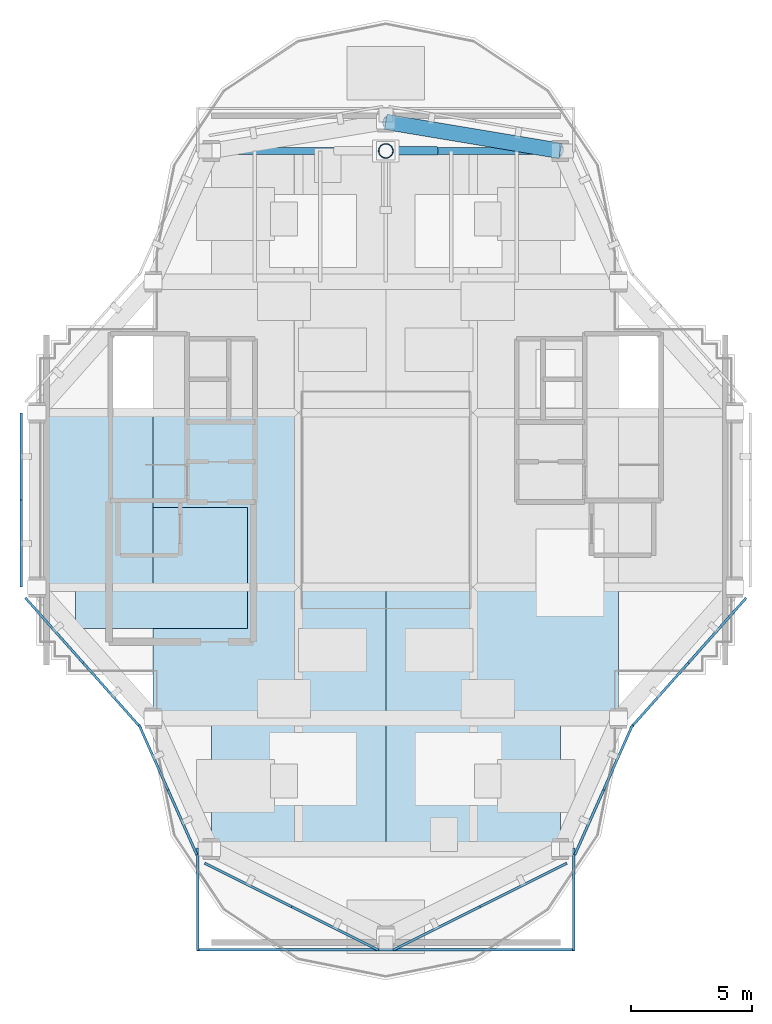
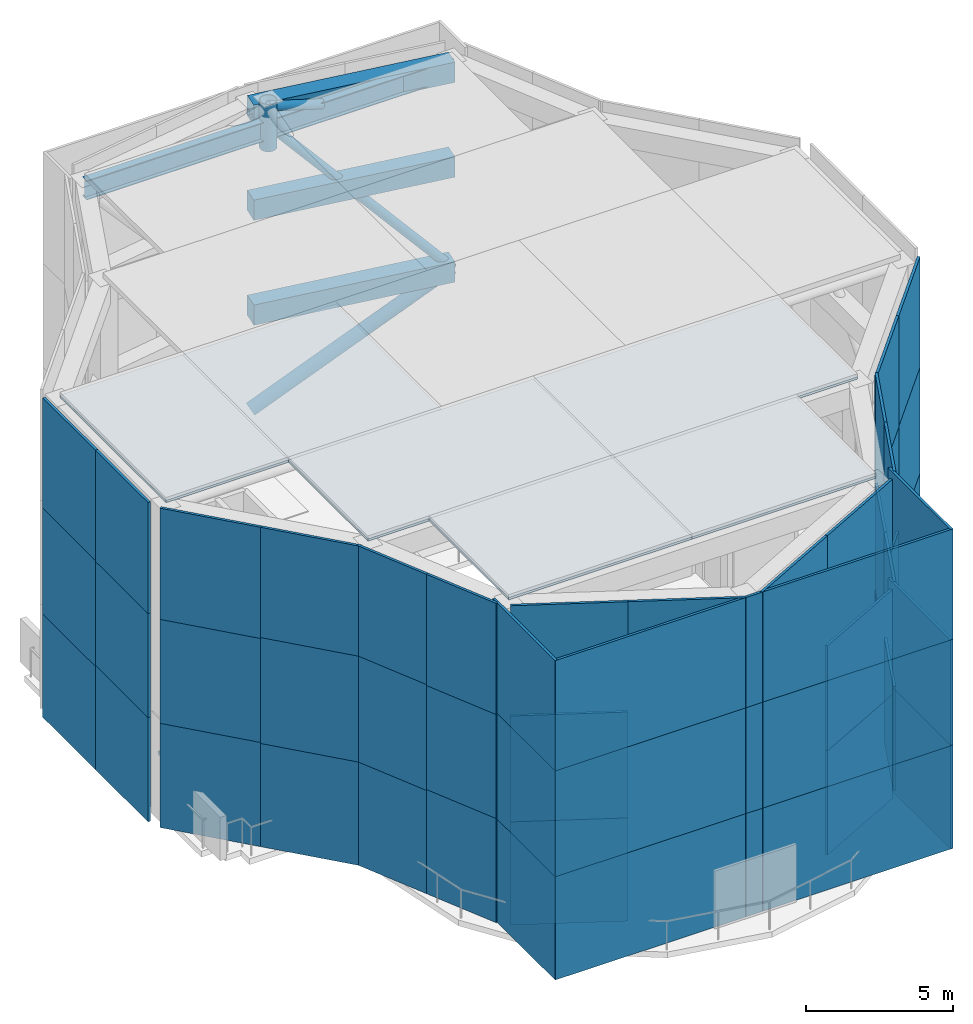
# One storey, part 2 of 8: 57 plates, 4 beams, 4 members, 1 slab.
"""IFC4 building model written with IfcOpenShell, lengths in metres."""

from ifc_helpers import new_model, si_unit, direction, frame, origin, origin_2d, place, context, subcontext, project, spatial, polyline, rectangle, hollow_circle, i_section, outline, extrude, source, transform, mapped, material, layer, layer_set, material_profile, profile_set, type_object, element, save


model = new_model("IFC4")

# Units and contexts
model_context = context("Model", 3, precision=1e-05, world=origin(), true_north=direction((0.0, 1.0)))
body_context = subcontext(model_context, "Body", "Model", "MODEL_VIEW")
ifc_project = project(units=[si_unit("LENGTHUNIT", "METRE"), si_unit("AREAUNIT", "SQUARE_METRE"), si_unit("VOLUMEUNIT", "CUBIC_METRE"), si_unit("PLANEANGLEUNIT", "RADIAN"), si_unit("MASSUNIT", "GRAM", prefix="KILO")], contexts=[model_context])

# Site, building, storey
site_placement = place(None, origin())
site = spatial("IfcSite", under=ifc_project, at=site_placement, CompositionType="ELEMENT")
building_placement = place(site_placement, origin())
building = spatial("IfcBuilding", under=site, at=building_placement, Name="Keilestroom Media Tower", CompositionType="ELEMENT")
storey_placement = place(building_placement, frame((0.0, 0.0, 271.60009765625)))
storey = spatial("IfcBuildingStorey", under=building, at=storey_placement, Name="Roof", CompositionType="ELEMENT", Elevation=271.60009765625)

# Beams
ifc_material_1 = material(Name="Precast concrete C40/50", Category="concrete")
ifc_material_profile_1 = material_profile(ifc_material_1, rectangle(XDim=0.639892578125, YDim=0.840087890625, at=origin_2d()), Name="CF 640x840")
ifc_profile_set_1 = profile_set([ifc_material_profile_1], Name="Precast concrete C40/50")
beam_type_1 = type_object("IfcBeamType", Name="Crown-Open-Frame-Ring-Beam-640x840", PredefinedType="USERDEFINED", material=ifc_profile_set_1)
shared_shape_1 = source(origin(), body_context, "Body", "SweptSolid", [
    extrude(rectangle(XDim=0.639892578125, YDim=0.840087890625, at=origin_2d()), origin(), (0.0, 0.0, 1.0), 7.29931640625),
])
for number, where, z_axis, x_axis, name in (
    (1, (0.0, 15.60009765625, 4.2998046875), (0.986389403576, -0.16442610654, 0.0), (0.16442610654, 0.986389403576, 0.0), "Crown Frame Ring Beam MID 05"),
    (2, (0.0, 15.60009765625, 8.64990234375), (0.986389403576, -0.16442610654, 0.0), (0.16442610654, 0.986389403576, 0.0), "Crown Frame Ring Beam HI 05"),
    (3, (0.0, 15.60009765625, 12.579833984375), (0.986389403576, -0.16442610654, 0.0), (0.16442610654, 0.986389403576, 0.0), "Crown Frame Ring Beam TOP 05"),
):
    element("IfcBeam", number, at=place(storey_placement, frame(where, z_axis=z_axis, x_axis=x_axis)), inside=storey, type_object=beam_type_1, Name=name, ObjectType="CROWN_RING", PredefinedType="USERDEFINED", context=body_context, shape_type="MappedRepresentation", body=[
        mapped(shared_shape_1, transform((0.0, 0.0, 0.0), x_axis=(1.0, 0.0, 0.0), y_axis=(0.0, 1.0, 0.0), z_axis=(0.0, 0.0, 1.0), scale=1.0)),
    ])

# Members
ifc_material_2 = material(Name="Steel S460", Category="steel")
ifc_material_profile_2 = material_profile(ifc_material_2, hollow_circle(Radius=0.25390625, WallThickness=0.02001953125, at=origin_2d()), Name="CHS 508x20")
ifc_profile_set_2 = profile_set([ifc_material_profile_2], Name="Steel S460")
member_type_1 = type_object("IfcMemberType", Name="Crown-Strut-And-Mast-Member-Crown-Frame-CHS-508x20", PredefinedType="STRUT", material=ifc_profile_set_2)
shared_shape_2 = source(origin(), body_context, "Body", "SweptSolid", [
    extrude(hollow_circle(Radius=0.25390625, WallThickness=0.02001953125, at=origin_2d()), origin(), (0.0, 0.0, 1.0), 8.371826171875),
])
member_1_placement = place(storey_placement, frame((0.0, 15.60009765625, 0.199951171875), z_axis=(0.860014886037, -0.143360115959, 0.489716523048), x_axis=(0.16442610654, 0.986389403576, 0.0)))
element("IfcMember", 4, at=member_1_placement, inside=storey, type_object=member_type_1, Name="Crown Frame Wind Brace Lower 05", PredefinedType="STRUT", context=body_context, shape_type="MappedRepresentation", body=[
    mapped(shared_shape_2, transform((0.0, 0.0, 0.0), x_axis=(1.0, 0.0, 0.0), y_axis=(0.0, 1.0, 0.0), z_axis=(0.0, 0.0, 1.0), scale=1.0)),
])
ifc_material_3 = material(Name="Steel S355", Category="steel")
ifc_material_profile_3 = material_profile(ifc_material_3, hollow_circle(Radius=0.177734375, WallThickness=0.01416015625, at=origin_2d()), Name="CHS 355.6x14.2")
ifc_profile_set_3 = profile_set([ifc_material_profile_3], Name="Steel S355")
member_type_2 = type_object("IfcMemberType", Name="Crown-Open-Frame-Strut-CHS-355x14", PredefinedType="STRUT", material=ifc_profile_set_3)
shared_shape_3 = source(origin(), body_context, "Body", "SweptSolid", [
    extrude(hollow_circle(Radius=0.177734375, WallThickness=0.01416015625, at=origin_2d()), origin(), (0.0, 0.0, 1.0), 11.0380859375),
])
member_2_placement = place(storey_placement, frame((7.199951171875, 14.39990234375, 4.2998046875), z_axis=(-0.652284427769, 0.108732503032, 0.750134833263), x_axis=(-0.16442610654, -0.986389403576, 0.0)))
element("IfcMember", 5, at=member_2_placement, inside=storey, type_object=member_type_2, Name="Crown Frame Wind Strut Upper 05", PredefinedType="STRUT", context=body_context, shape_type="MappedRepresentation", body=[
    mapped(shared_shape_3, transform((0.0, 0.0, 0.0), x_axis=(1.0, 0.0, 0.0), y_axis=(0.0, 1.0, 0.0), z_axis=(0.0, 0.0, 1.0), scale=1.0)),
])

# Beam
ifc_material_profile_4 = material_profile(ifc_material_2, i_section(OverallWidth=0.300048828125, OverallDepth=0.800048828125, WebThickness=0.014892578125, FlangeThickness=0.032958984375, at=origin_2d()), Name="HEB 800")
ifc_profile_set_4 = profile_set([ifc_material_profile_4], Name="Steel S460")
beam_type_2 = type_object("IfcBeamType", Name="Primary-Structural-Girder-HEB-800", PredefinedType="BEAM", material=ifc_profile_set_4)
shared_shape_4 = source(origin(), body_context, "Body", "SweptSolid", [
    extrude(i_section(OverallWidth=0.300048828125, OverallDepth=0.800048828125, WebThickness=0.014892578125, FlangeThickness=0.032958984375, at=origin_2d()), origin(), (0.0, 0.0, 1.0), 14.39990234375),
])
beam_placement = place(storey_placement, frame((-7.199951171875, 14.39990234375, 12.599853515625), z_axis=(1.0, 0.0, 0.0), x_axis=(0.0, 1.0, 0.0)))
element("IfcBeam", 6, at=beam_placement, inside=storey, type_object=beam_type_2, Name="Roof Mast Transfer Girder TG-RF1", PredefinedType="BEAM", context=body_context, shape_type="MappedRepresentation", body=[
    mapped(shared_shape_4, transform((0.0, 0.0, 0.0), x_axis=(1.0, 0.0, 0.0), y_axis=(0.0, 1.0, 0.0), z_axis=(0.0, 0.0, 1.0), scale=1.0)),
])

# Members
ifc_material_profile_5 = material_profile(ifc_material_2, hollow_circle(Radius=0.304931640625, WallThickness=0.02490234375, at=origin_2d()), Name="CHS 610x25")
ifc_profile_set_5 = profile_set([ifc_material_profile_5], Name="Steel S460")
member_type_3 = type_object("IfcMemberType", Name="Crown-Strut-And-Mast-Member-Mast-CHS-610x25", PredefinedType="STRUT", material=ifc_profile_set_5)
shared_shape_5 = source(origin(), body_context, "Body", "SweptSolid", [
    extrude(hollow_circle(Radius=0.304931640625, WallThickness=0.02490234375, at=origin_2d()), origin(), (0.0, 0.0, 1.0), 1.960205078125),
])
member_3_placement = place(storey_placement, frame((0.0, 14.39990234375, 11.7998046875), z_axis=(0.0, 0.0, 1.0), x_axis=(1.0, 0.0, 0.0)))
element("IfcMember", 7, at=member_3_placement, inside=storey, type_object=member_type_3, Name="Broadcast Pinnacle Mast MP-1", PredefinedType="STRUT", context=body_context, shape_type="MappedRepresentation", body=[
    mapped(shared_shape_5, transform((0.0, 0.0, 0.0), x_axis=(1.0, 0.0, 0.0), y_axis=(0.0, 1.0, 0.0), z_axis=(0.0, 0.0, 1.0), scale=1.0)),
])
shared_shape_6 = source(origin(), body_context, "Body", "SweptSolid", [
    extrude(hollow_circle(Radius=0.177734375, WallThickness=0.01416015625, at=origin_2d()), origin(), (0.0, 0.0, 1.0), 2.198486328125),
])
member_4_placement = place(storey_placement, frame((2.10009765625, 14.39990234375, 12.849853515625), z_axis=(-0.955270952292, 0.0, 0.295731986277), x_axis=(0.0, -1.0, 0.0)))
element("IfcMember", 8, at=member_4_placement, inside=storey, type_object=member_type_2, Name="Broadcast Mast Guy Strut 2", PredefinedType="STRUT", context=body_context, shape_type="MappedRepresentation", body=[
    mapped(shared_shape_6, transform((0.0, 0.0, 0.0), x_axis=(1.0, 0.0, 0.0), y_axis=(0.0, 1.0, 0.0), z_axis=(0.0, 0.0, 1.0), scale=1.0)),
])

# Slab
ifc_material_4 = material(Name="Concrete C50/60", Category="concrete")
ifc_layer_1 = layer(ifc_material_4, 0.18994140625)
ifc_layer_set_1 = layer_set([ifc_layer_1], Name="Concrete C50/60")
slab_type = type_object("IfcSlabType", Name="Composite-Floor-Slab-190", PredefinedType="FLOOR", material=ifc_layer_set_1)
slab_placement = place(storey_placement, origin())
element("IfcSlab", 9, at=slab_placement, inside=storey, type_object=slab_type, Name="Roof Control Room Equipment Floor Slab", PredefinedType="FLOOR", context=body_context, shape_type="SweptSolid", body=[
    extrude(outline(polyline([(-12.800048828125, -5.300048828125), (-5.699951171875, -5.300048828125), (-5.699951171875, -0.300048828125), (-12.800048828125, -0.300048828125), (-12.800048828125, -5.300048828125)])), origin(), (0.0, 0.0, 1.0), 0.14990234375),
])

# Plates
ifc_material_5 = material(Name="Bronze Anodised Aluminium", Category="aluminium")
ifc_layer_2 = layer(ifc_material_5, 0.10009765625)
ifc_layer_set_2 = layer_set([ifc_layer_2], Name="Bronze Anodised Aluminium")
plate_type = type_object("IfcPlateType", Name="Crown-Louvre-Screen-Panel-100", PredefinedType="USERDEFINED", material=ifc_layer_set_2)
shared_shape_7 = source(origin(), body_context, "Body", "SweptSolid", [
    extrude(rectangle(XDim=3.580078125, YDim=0.10009765625, at=origin_2d()), origin(), (0.0, 0.0, 1.0), 4.320068359375),
])
for number, where, z_axis, x_axis, name in (
    (10, (-15.0400390625, -1.7900390625, 0.0), (0.0, 0.0, 1.0), (0.0, 1.0, 0.0), "Crown Louvre Screen Panel 01.1.1"),
    (11, (-15.0400390625, 1.7900390625, 0.0), (0.0, 0.0, 1.0), (0.0, 1.0, 0.0), "Crown Louvre Screen Panel 01.2.1"),
):
    element("IfcPlate", number, at=place(storey_placement, frame(where, z_axis=z_axis, x_axis=x_axis)), inside=storey, type_object=plate_type, Name=name, ObjectType="SCREEN", PredefinedType="USERDEFINED", context=body_context, shape_type="MappedRepresentation", body=[
        mapped(shared_shape_7, transform((0.0, 0.0, 0.0), x_axis=(1.0, 0.0, 0.0), y_axis=(0.0, 1.0, 0.0), z_axis=(0.0, 0.0, 1.0), scale=1.0)),
    ])
shared_shape_8 = source(origin(), body_context, "Body", "SweptSolid", [
    extrude(rectangle(XDim=3.580078125, YDim=0.10009765625, at=origin_2d()), origin(), (0.0, 0.0, 1.0), 4.389892578125),
])
for number, where, z_axis, x_axis, name in (
    (12, (-15.0400390625, -1.7900390625, 4.27978515625), (0.0, 0.0, 1.0), (0.0, 1.0, 0.0), "Crown Louvre Screen Panel 01.1.2"),
    (13, (-15.0400390625, 1.7900390625, 4.27978515625), (0.0, 0.0, 1.0), (0.0, 1.0, 0.0), "Crown Louvre Screen Panel 01.2.2"),
):
    element("IfcPlate", number, at=place(storey_placement, frame(where, z_axis=z_axis, x_axis=x_axis)), inside=storey, type_object=plate_type, Name=name, ObjectType="SCREEN", PredefinedType="USERDEFINED", context=body_context, shape_type="MappedRepresentation", body=[
        mapped(shared_shape_8, transform((0.0, 0.0, 0.0), x_axis=(1.0, 0.0, 0.0), y_axis=(0.0, 1.0, 0.0), z_axis=(0.0, 0.0, 1.0), scale=1.0)),
    ])
shared_shape_9 = source(origin(), body_context, "Body", "SweptSolid", [
    extrude(rectangle(XDim=3.580078125, YDim=0.10009765625, at=origin_2d()), origin(), (0.0, 0.0, 1.0), 4.610107421875),
])
for number, where, z_axis, x_axis, name in (
    (14, (-15.0400390625, -1.7900390625, 8.6298828125), (0.0, 0.0, 1.0), (0.0, 1.0, 0.0), "Crown Louvre Screen Panel 01.1.3"),
    (15, (-15.0400390625, 1.7900390625, 8.6298828125), (0.0, 0.0, 1.0), (0.0, 1.0, 0.0), "Crown Louvre Screen Panel 01.2.3"),
):
    element("IfcPlate", number, at=place(storey_placement, frame(where, z_axis=z_axis, x_axis=x_axis)), inside=storey, type_object=plate_type, Name=name, ObjectType="SCREEN", PredefinedType="USERDEFINED", context=body_context, shape_type="MappedRepresentation", body=[
        mapped(shared_shape_9, transform((0.0, 0.0, 0.0), x_axis=(1.0, 0.0, 0.0), y_axis=(0.0, 1.0, 0.0), z_axis=(0.0, 0.0, 1.0), scale=1.0)),
    ])
shared_shape_10 = source(origin(), body_context, "Body", "SweptSolid", [
    extrude(rectangle(XDim=3.592041015625, YDim=0.10009765625, at=origin_2d()), origin(), (0.0, 0.0, 1.0), 4.320068359375),
])
for number, where, z_axis, x_axis, name in (
    (16, (13.671630859375, -5.3828125, 0.0), (0.0, 0.0, 1.0), (-0.664363325694, -0.747409774804, 0.0), "Crown Louvre Screen Panel 09.1.1"),
    (17, (11.284912109375, -8.067626953125, 0.0), (0.0, 0.0, 1.0), (-0.664363325694, -0.747409774804, 0.0), "Crown Louvre Screen Panel 09.2.1"),
    (18, (-11.284912109375, -8.067626953125, 0.0), (0.0, 0.0, 1.0), (-0.664363325694, 0.747409774804, 0.0), "Crown Louvre Screen Panel 14.1.1"),
    (19, (-13.671630859375, -5.3828125, 0.0), (0.0, 0.0, 1.0), (-0.664363325694, 0.747409774804, 0.0), "Crown Louvre Screen Panel 14.2.1"),
):
    element("IfcPlate", number, at=place(storey_placement, frame(where, z_axis=z_axis, x_axis=x_axis)), inside=storey, type_object=plate_type, Name=name, ObjectType="SCREEN", PredefinedType="USERDEFINED", context=body_context, shape_type="MappedRepresentation", body=[
        mapped(shared_shape_10, transform((0.0, 0.0, 0.0), x_axis=(1.0, 0.0, 0.0), y_axis=(0.0, 1.0, 0.0), z_axis=(0.0, 0.0, 1.0), scale=1.0)),
    ])
shared_shape_11 = source(origin(), body_context, "Body", "SweptSolid", [
    extrude(rectangle(XDim=3.592041015625, YDim=0.10009765625, at=origin_2d()), origin(), (0.0, 0.0, 1.0), 4.389892578125),
])
for number, where, z_axis, x_axis, name in (
    (20, (13.671630859375, -5.3828125, 4.27978515625), (0.0, 0.0, 1.0), (-0.664363325694, -0.747409774804, 0.0), "Crown Louvre Screen Panel 09.1.2"),
    (21, (11.284912109375, -8.067626953125, 4.27978515625), (0.0, 0.0, 1.0), (-0.664363325694, -0.747409774804, 0.0), "Crown Louvre Screen Panel 09.2.2"),
    (22, (-11.284912109375, -8.067626953125, 4.27978515625), (0.0, 0.0, 1.0), (-0.664363325694, 0.747409774804, 0.0), "Crown Louvre Screen Panel 14.1.2"),
    (23, (-13.671630859375, -5.3828125, 4.27978515625), (0.0, 0.0, 1.0), (-0.664363325694, 0.747409774804, 0.0), "Crown Louvre Screen Panel 14.2.2"),
):
    element("IfcPlate", number, at=place(storey_placement, frame(where, z_axis=z_axis, x_axis=x_axis)), inside=storey, type_object=plate_type, Name=name, ObjectType="SCREEN", PredefinedType="USERDEFINED", context=body_context, shape_type="MappedRepresentation", body=[
        mapped(shared_shape_11, transform((0.0, 0.0, 0.0), x_axis=(1.0, 0.0, 0.0), y_axis=(0.0, 1.0, 0.0), z_axis=(0.0, 0.0, 1.0), scale=1.0)),
    ])
shared_shape_12 = source(origin(), body_context, "Body", "SweptSolid", [
    extrude(rectangle(XDim=3.592041015625, YDim=0.10009765625, at=origin_2d()), origin(), (0.0, 0.0, 1.0), 4.610107421875),
])
for number, where, z_axis, x_axis, name in (
    (24, (13.671630859375, -5.3828125, 8.6298828125), (0.0, 0.0, 1.0), (-0.664363325694, -0.747409774804, 0.0), "Crown Louvre Screen Panel 09.1.3"),
    (25, (11.284912109375, -8.067626953125, 8.6298828125), (0.0, 0.0, 1.0), (-0.664363325694, -0.747409774804, 0.0), "Crown Louvre Screen Panel 09.2.3"),
    (26, (-11.284912109375, -8.067626953125, 8.6298828125), (0.0, 0.0, 1.0), (-0.664363325694, 0.747409774804, 0.0), "Crown Louvre Screen Panel 14.1.3"),
    (27, (-13.671630859375, -5.3828125, 8.6298828125), (0.0, 0.0, 1.0), (-0.664363325694, 0.747409774804, 0.0), "Crown Louvre Screen Panel 14.2.3"),
):
    element("IfcPlate", number, at=place(storey_placement, frame(where, z_axis=z_axis, x_axis=x_axis)), inside=storey, type_object=plate_type, Name=name, ObjectType="SCREEN", PredefinedType="USERDEFINED", context=body_context, shape_type="MappedRepresentation", body=[
        mapped(shared_shape_12, transform((0.0, 0.0, 0.0), x_axis=(1.0, 0.0, 0.0), y_axis=(0.0, 1.0, 0.0), z_axis=(0.0, 0.0, 1.0), scale=1.0)),
    ])
shared_shape_13 = source(origin(), body_context, "Body", "SweptSolid", [
    extrude(rectangle(XDim=2.93505859375, YDim=0.10009765625, at=origin_2d()), origin(), (0.0, 0.0, 1.0), 4.320068359375),
])
for number, where, z_axis, x_axis, name in (
    (28, (9.580810546875, -10.619140625, 0.0), (0.0, 0.0, 1.0), (-0.406138641898, -0.913811470467, 0.0), "Crown Louvre Screen Panel 10.1.1"),
    (29, (8.388916015625, -13.30078125, 0.0), (0.0, 0.0, 1.0), (-0.406138641898, -0.913811470467, 0.0), "Crown Louvre Screen Panel 10.2.1"),
    (30, (-8.388916015625, -13.30078125, 0.0), (0.0, 0.0, 1.0), (-0.406138641898, 0.913811470467, 0.0), "Crown Louvre Screen Panel 13.1.1"),
    (31, (-9.580810546875, -10.619140625, 0.0), (0.0, 0.0, 1.0), (-0.406138641898, 0.913811470467, 0.0), "Crown Louvre Screen Panel 13.2.1"),
):
    element("IfcPlate", number, at=place(storey_placement, frame(where, z_axis=z_axis, x_axis=x_axis)), inside=storey, type_object=plate_type, Name=name, ObjectType="SCREEN", PredefinedType="USERDEFINED", context=body_context, shape_type="MappedRepresentation", body=[
        mapped(shared_shape_13, transform((0.0, 0.0, 0.0), x_axis=(1.0, 0.0, 0.0), y_axis=(0.0, 1.0, 0.0), z_axis=(0.0, 0.0, 1.0), scale=1.0)),
    ])
shared_shape_14 = source(origin(), body_context, "Body", "SweptSolid", [
    extrude(rectangle(XDim=2.93505859375, YDim=0.10009765625, at=origin_2d()), origin(), (0.0, 0.0, 1.0), 4.389892578125),
])
for number, where, z_axis, x_axis, name in (
    (32, (9.580810546875, -10.619140625, 4.27978515625), (0.0, 0.0, 1.0), (-0.406138641898, -0.913811470467, 0.0), "Crown Louvre Screen Panel 10.1.2"),
    (33, (8.388916015625, -13.30078125, 4.27978515625), (0.0, 0.0, 1.0), (-0.406138641898, -0.913811470467, 0.0), "Crown Louvre Screen Panel 10.2.2"),
    (34, (-8.388916015625, -13.30078125, 4.27978515625), (0.0, 0.0, 1.0), (-0.406138641898, 0.913811470467, 0.0), "Crown Louvre Screen Panel 13.1.2"),
    (35, (-9.580810546875, -10.619140625, 4.27978515625), (0.0, 0.0, 1.0), (-0.406138641898, 0.913811470467, 0.0), "Crown Louvre Screen Panel 13.2.2"),
):
    element("IfcPlate", number, at=place(storey_placement, frame(where, z_axis=z_axis, x_axis=x_axis)), inside=storey, type_object=plate_type, Name=name, ObjectType="SCREEN", PredefinedType="USERDEFINED", context=body_context, shape_type="MappedRepresentation", body=[
        mapped(shared_shape_14, transform((0.0, 0.0, 0.0), x_axis=(1.0, 0.0, 0.0), y_axis=(0.0, 1.0, 0.0), z_axis=(0.0, 0.0, 1.0), scale=1.0)),
    ])
shared_shape_15 = source(origin(), body_context, "Body", "SweptSolid", [
    extrude(rectangle(XDim=2.93505859375, YDim=0.10009765625, at=origin_2d()), origin(), (0.0, 0.0, 1.0), 4.610107421875),
])
for number, where, z_axis, x_axis, name in (
    (36, (9.580810546875, -10.619140625, 8.6298828125), (0.0, 0.0, 1.0), (-0.406138641898, -0.913811470467, 0.0), "Crown Louvre Screen Panel 10.1.3"),
    (37, (8.388916015625, -13.30078125, 8.6298828125), (0.0, 0.0, 1.0), (-0.406138641898, -0.913811470467, 0.0), "Crown Louvre Screen Panel 10.2.3"),
    (38, (-8.388916015625, -13.30078125, 8.6298828125), (0.0, 0.0, 1.0), (-0.406138641898, 0.913811470467, 0.0), "Crown Louvre Screen Panel 13.1.3"),
    (39, (-9.580810546875, -10.619140625, 8.6298828125), (0.0, 0.0, 1.0), (-0.406138641898, 0.913811470467, 0.0), "Crown Louvre Screen Panel 13.2.3"),
):
    element("IfcPlate", number, at=place(storey_placement, frame(where, z_axis=z_axis, x_axis=x_axis)), inside=storey, type_object=plate_type, Name=name, ObjectType="SCREEN", PredefinedType="USERDEFINED", context=body_context, shape_type="MappedRepresentation", body=[
        mapped(shared_shape_15, transform((0.0, 0.0, 0.0), x_axis=(1.0, 0.0, 0.0), y_axis=(0.0, 1.0, 0.0), z_axis=(0.0, 0.0, 1.0), scale=1.0)),
    ])
shared_shape_16 = source(origin(), body_context, "Body", "SweptSolid", [
    extrude(rectangle(XDim=4.0048828125, YDim=0.10009765625, at=origin_2d()), origin(), (0.0, 0.0, 1.0), 4.320068359375),
])
for number, where, z_axis, x_axis, name in (
    (40, (5.67724609375, -15.876953125, 0.0), (0.0, 0.0, 1.0), (-0.89442680992, -0.44721435766, 0.0), "Crown Louvre Screen Panel 11.1.1"),
    (41, (2.09521484375, -17.66796875, 0.0), (0.0, 0.0, 1.0), (-0.89442680992, -0.44721435766, 0.0), "Crown Louvre Screen Panel 11.2.1"),
    (42, (-2.09521484375, -17.66796875, 0.0), (0.0, 0.0, 1.0), (-0.89442680992, 0.44721435766, 0.0), "Crown Louvre Screen Panel 12.1.1"),
    (43, (-5.67724609375, -15.876953125, 0.0), (0.0, 0.0, 1.0), (-0.89442680992, 0.44721435766, 0.0), "Crown Louvre Screen Panel 12.2.1"),
):
    element("IfcPlate", number, at=place(storey_placement, frame(where, z_axis=z_axis, x_axis=x_axis)), inside=storey, type_object=plate_type, Name=name, ObjectType="SCREEN", PredefinedType="USERDEFINED", context=body_context, shape_type="MappedRepresentation", body=[
        mapped(shared_shape_16, transform((0.0, 0.0, 0.0), x_axis=(1.0, 0.0, 0.0), y_axis=(0.0, 1.0, 0.0), z_axis=(0.0, 0.0, 1.0), scale=1.0)),
    ])
shared_shape_17 = source(origin(), body_context, "Body", "SweptSolid", [
    extrude(rectangle(XDim=4.0048828125, YDim=0.10009765625, at=origin_2d()), origin(), (0.0, 0.0, 1.0), 4.389892578125),
])
for number, where, z_axis, x_axis, name in (
    (44, (5.67724609375, -15.876953125, 4.27978515625), (0.0, 0.0, 1.0), (-0.89442680992, -0.44721435766, 0.0), "Crown Louvre Screen Panel 11.1.2"),
    (45, (2.09521484375, -17.66796875, 4.27978515625), (0.0, 0.0, 1.0), (-0.89442680992, -0.44721435766, 0.0), "Crown Louvre Screen Panel 11.2.2"),
    (46, (-2.09521484375, -17.66796875, 4.27978515625), (0.0, 0.0, 1.0), (-0.89442680992, 0.44721435766, 0.0), "Crown Louvre Screen Panel 12.1.2"),
    (47, (-5.67724609375, -15.876953125, 4.27978515625), (0.0, 0.0, 1.0), (-0.89442680992, 0.44721435766, 0.0), "Crown Louvre Screen Panel 12.2.2"),
):
    element("IfcPlate", number, at=place(storey_placement, frame(where, z_axis=z_axis, x_axis=x_axis)), inside=storey, type_object=plate_type, Name=name, ObjectType="SCREEN", PredefinedType="USERDEFINED", context=body_context, shape_type="MappedRepresentation", body=[
        mapped(shared_shape_17, transform((0.0, 0.0, 0.0), x_axis=(1.0, 0.0, 0.0), y_axis=(0.0, 1.0, 0.0), z_axis=(0.0, 0.0, 1.0), scale=1.0)),
    ])
shared_shape_18 = source(origin(), body_context, "Body", "SweptSolid", [
    extrude(rectangle(XDim=4.0048828125, YDim=0.10009765625, at=origin_2d()), origin(), (0.0, 0.0, 1.0), 4.610107421875),
])
for number, where, z_axis, x_axis, name in (
    (48, (5.67724609375, -15.876953125, 8.6298828125), (0.0, 0.0, 1.0), (-0.89442680992, -0.44721435766, 0.0), "Crown Louvre Screen Panel 11.1.3"),
    (49, (2.09521484375, -17.66796875, 8.6298828125), (0.0, 0.0, 1.0), (-0.89442680992, -0.44721435766, 0.0), "Crown Louvre Screen Panel 11.2.3"),
    (50, (-2.09521484375, -17.66796875, 8.6298828125), (0.0, 0.0, 1.0), (-0.89442680992, 0.44721435766, 0.0), "Crown Louvre Screen Panel 12.1.3"),
    (51, (-5.67724609375, -15.876953125, 8.6298828125), (0.0, 0.0, 1.0), (-0.89442680992, 0.44721435766, 0.0), "Crown Louvre Screen Panel 12.2.3"),
):
    element("IfcPlate", number, at=place(storey_placement, frame(where, z_axis=z_axis, x_axis=x_axis)), inside=storey, type_object=plate_type, Name=name, ObjectType="SCREEN", PredefinedType="USERDEFINED", context=body_context, shape_type="MappedRepresentation", body=[
        mapped(shared_shape_18, transform((0.0, 0.0, 0.0), x_axis=(1.0, 0.0, 0.0), y_axis=(0.0, 1.0, 0.0), z_axis=(0.0, 0.0, 1.0), scale=1.0)),
    ])
shared_shape_19 = source(origin(), body_context, "Body", "SweptSolid", [
    extrude(rectangle(XDim=4.22998046875, YDim=0.10009765625, at=origin_2d()), origin(), (0.0, 0.0, 1.0), 4.320068359375),
])
for number, where, z_axis, x_axis, name in (
    (52, (-7.75, -16.47509765625, 0.0), (0.0, 0.0, 1.0), (0.0, 1.0, 0.0), "Crown Shoulder Louvre Return 3.1"),
    (53, (7.75, -16.47509765625, 0.0), (0.0, 0.0, 1.0), (0.0, 1.0, 0.0), "Crown Shoulder Louvre Return 4.1"),
):
    element("IfcPlate", number, at=place(storey_placement, frame(where, z_axis=z_axis, x_axis=x_axis)), inside=storey, type_object=plate_type, Name=name, ObjectType="SCREEN", PredefinedType="USERDEFINED", context=body_context, shape_type="MappedRepresentation", body=[
        mapped(shared_shape_19, transform((0.0, 0.0, 0.0), x_axis=(1.0, 0.0, 0.0), y_axis=(0.0, 1.0, 0.0), z_axis=(0.0, 0.0, 1.0), scale=1.0)),
    ])
shared_shape_20 = source(origin(), body_context, "Body", "SweptSolid", [
    extrude(rectangle(XDim=4.22998046875, YDim=0.10009765625, at=origin_2d()), origin(), (0.0, 0.0, 1.0), 4.389892578125),
])
for number, where, z_axis, x_axis, name in (
    (54, (-7.75, -16.47509765625, 4.27978515625), (0.0, 0.0, 1.0), (0.0, 1.0, 0.0), "Crown Shoulder Louvre Return 3.2"),
    (55, (7.75, -16.47509765625, 4.27978515625), (0.0, 0.0, 1.0), (0.0, 1.0, 0.0), "Crown Shoulder Louvre Return 4.2"),
):
    element("IfcPlate", number, at=place(storey_placement, frame(where, z_axis=z_axis, x_axis=x_axis)), inside=storey, type_object=plate_type, Name=name, ObjectType="SCREEN", PredefinedType="USERDEFINED", context=body_context, shape_type="MappedRepresentation", body=[
        mapped(shared_shape_20, transform((0.0, 0.0, 0.0), x_axis=(1.0, 0.0, 0.0), y_axis=(0.0, 1.0, 0.0), z_axis=(0.0, 0.0, 1.0), scale=1.0)),
    ])
shared_shape_21 = source(origin(), body_context, "Body", "SweptSolid", [
    extrude(rectangle(XDim=4.22998046875, YDim=0.10009765625, at=origin_2d()), origin(), (0.0, 0.0, 1.0), 4.610107421875),
])
for number, where, z_axis, x_axis, name in (
    (56, (-7.75, -16.47509765625, 8.6298828125), (0.0, 0.0, 1.0), (0.0, 1.0, 0.0), "Crown Shoulder Louvre Return 3.3"),
    (57, (7.75, -16.47509765625, 8.6298828125), (0.0, 0.0, 1.0), (0.0, 1.0, 0.0), "Crown Shoulder Louvre Return 4.3"),
):
    element("IfcPlate", number, at=place(storey_placement, frame(where, z_axis=z_axis, x_axis=x_axis)), inside=storey, type_object=plate_type, Name=name, ObjectType="SCREEN", PredefinedType="USERDEFINED", context=body_context, shape_type="MappedRepresentation", body=[
        mapped(shared_shape_21, transform((0.0, 0.0, 0.0), x_axis=(1.0, 0.0, 0.0), y_axis=(0.0, 1.0, 0.0), z_axis=(0.0, 0.0, 1.0), scale=1.0)),
    ])
shared_shape_22 = source(origin(), body_context, "Body", "SweptSolid", [
    extrude(rectangle(XDim=15.580078125, YDim=0.10009765625, at=origin_2d()), origin(), (0.0, 0.0, 1.0), 4.320068359375),
])
plate_1_placement = place(storey_placement, frame((0.0, -18.550048828125, 0.0), z_axis=(0.0, 0.0, 1.0), x_axis=(1.0, 0.0, 0.0)))
element("IfcPlate", 58, at=plate_1_placement, inside=storey, type_object=plate_type, Name="Crown Shoulder Louvre Return 6.1", ObjectType="SCREEN", PredefinedType="USERDEFINED", context=body_context, shape_type="MappedRepresentation", body=[
    mapped(shared_shape_22, transform((0.0, 0.0, 0.0), x_axis=(1.0, 0.0, 0.0), y_axis=(0.0, 1.0, 0.0), z_axis=(0.0, 0.0, 1.0), scale=1.0)),
])
shared_shape_23 = source(origin(), body_context, "Body", "SweptSolid", [
    extrude(rectangle(XDim=15.580078125, YDim=0.10009765625, at=origin_2d()), origin(), (0.0, 0.0, 1.0), 4.389892578125),
])
plate_2_placement = place(storey_placement, frame((0.0, -18.550048828125, 4.27978515625), z_axis=(0.0, 0.0, 1.0), x_axis=(1.0, 0.0, 0.0)))
element("IfcPlate", 59, at=plate_2_placement, inside=storey, type_object=plate_type, Name="Crown Shoulder Louvre Return 6.2", ObjectType="SCREEN", PredefinedType="USERDEFINED", context=body_context, shape_type="MappedRepresentation", body=[
    mapped(shared_shape_23, transform((0.0, 0.0, 0.0), x_axis=(1.0, 0.0, 0.0), y_axis=(0.0, 1.0, 0.0), z_axis=(0.0, 0.0, 1.0), scale=1.0)),
])
shared_shape_24 = source(origin(), body_context, "Body", "SweptSolid", [
    extrude(rectangle(XDim=15.580078125, YDim=0.10009765625, at=origin_2d()), origin(), (0.0, 0.0, 1.0), 4.610107421875),
])
plate_3_placement = place(storey_placement, frame((0.0, -18.550048828125, 8.6298828125), z_axis=(0.0, 0.0, 1.0), x_axis=(1.0, 0.0, 0.0)))
element("IfcPlate", 60, at=plate_3_placement, inside=storey, type_object=plate_type, Name="Crown Shoulder Louvre Return 6.3", ObjectType="SCREEN", PredefinedType="USERDEFINED", context=body_context, shape_type="MappedRepresentation", body=[
    mapped(shared_shape_24, transform((0.0, 0.0, 0.0), x_axis=(1.0, 0.0, 0.0), y_axis=(0.0, 1.0, 0.0), z_axis=(0.0, 0.0, 1.0), scale=1.0)),
])
shared_shape_25 = source(origin(), body_context, "Body", "SweptSolid", [
    extrude(rectangle(XDim=7.199951171875, YDim=5.39990234375, at=origin_2d()), origin(), (0.0, 0.0, 1.0), 0.10009765625),
])
for number, where, z_axis, x_axis, name in (
    (61, (-3.60009765625, -11.699951171875, 12.999755859375), (0.0, 0.0, 1.0), (1.0, 0.0, 0.0), "Crown Top Perforated Louvre Screen Deck CAP-SW"),
    (62, (3.60009765625, -11.699951171875, 12.999755859375), (0.0, 0.0, 1.0), (1.0, 0.0, 0.0), "Crown Top Perforated Louvre Screen Deck CAP-SE"),
):
    element("IfcPlate", number, at=place(storey_placement, frame(where, z_axis=z_axis, x_axis=x_axis)), inside=storey, type_object=plate_type, Name=name, ObjectType="SCREEN", PredefinedType="USERDEFINED", context=body_context, shape_type="MappedRepresentation", body=[
        mapped(shared_shape_25, transform((0.0, 0.0, 0.0), x_axis=(1.0, 0.0, 0.0), y_axis=(0.0, 1.0, 0.0), z_axis=(0.0, 0.0, 1.0), scale=1.0)),
    ])
shared_shape_26 = source(origin(), body_context, "Body", "SweptSolid", [
    extrude(rectangle(XDim=4.800048828125, YDim=7.199951171875, at=origin_2d()), origin(), (0.0, 0.0, 1.0), 0.10009765625),
])
plate_4_placement = place(storey_placement, frame((-12.0, 0.0, 12.999755859375), z_axis=(0.0, 0.0, 1.0), x_axis=(1.0, 0.0, 0.0)))
element("IfcPlate", 63, at=plate_4_placement, inside=storey, type_object=plate_type, Name="Crown Top Perforated Louvre Screen Deck CAP-W", ObjectType="SCREEN", PredefinedType="USERDEFINED", context=body_context, shape_type="MappedRepresentation", body=[
    mapped(shared_shape_26, transform((0.0, 0.0, 0.0), x_axis=(1.0, 0.0, 0.0), y_axis=(0.0, 1.0, 0.0), z_axis=(0.0, 0.0, 1.0), scale=1.0)),
])
shared_shape_27 = source(origin(), body_context, "Body", "SweptSolid", [
    extrude(rectangle(XDim=9.60009765625, YDim=5.39990234375, at=origin_2d()), origin(), (0.0, 0.0, 1.0), 0.10009765625),
])
for number, where, z_axis, x_axis, name in (
    (64, (-4.800048828125, -6.300048828125, 12.999755859375), (0.0, 0.0, 1.0), (1.0, 0.0, 0.0), "Crown Top Perforated Louvre Screen Deck WELL-SW"),
    (65, (4.800048828125, -6.300048828125, 12.999755859375), (0.0, 0.0, 1.0), (1.0, 0.0, 0.0), "Crown Top Perforated Louvre Screen Deck WELL-SE"),
):
    element("IfcPlate", number, at=place(storey_placement, frame(where, z_axis=z_axis, x_axis=x_axis)), inside=storey, type_object=plate_type, Name=name, ObjectType="SCREEN", PredefinedType="USERDEFINED", context=body_context, shape_type="MappedRepresentation", body=[
        mapped(shared_shape_27, transform((0.0, 0.0, 0.0), x_axis=(1.0, 0.0, 0.0), y_axis=(0.0, 1.0, 0.0), z_axis=(0.0, 0.0, 1.0), scale=1.0)),
    ])
shared_shape_28 = source(origin(), body_context, "Body", "SweptSolid", [
    extrude(rectangle(XDim=6.0, YDim=7.199951171875, at=origin_2d()), origin(), (0.0, 0.0, 1.0), 0.10009765625),
])
plate_5_placement = place(storey_placement, frame((-6.60009765625, 0.0, 12.999755859375), z_axis=(0.0, 0.0, 1.0), x_axis=(1.0, 0.0, 0.0)))
element("IfcPlate", 66, at=plate_5_placement, inside=storey, type_object=plate_type, Name="Crown Top Perforated Louvre Screen Deck WELL-CW", ObjectType="SCREEN", PredefinedType="USERDEFINED", context=body_context, shape_type="MappedRepresentation", body=[
    mapped(shared_shape_28, transform((0.0, 0.0, 0.0), x_axis=(1.0, 0.0, 0.0), y_axis=(0.0, 1.0, 0.0), z_axis=(0.0, 0.0, 1.0), scale=1.0)),
])

save(model, "model.ifc")
